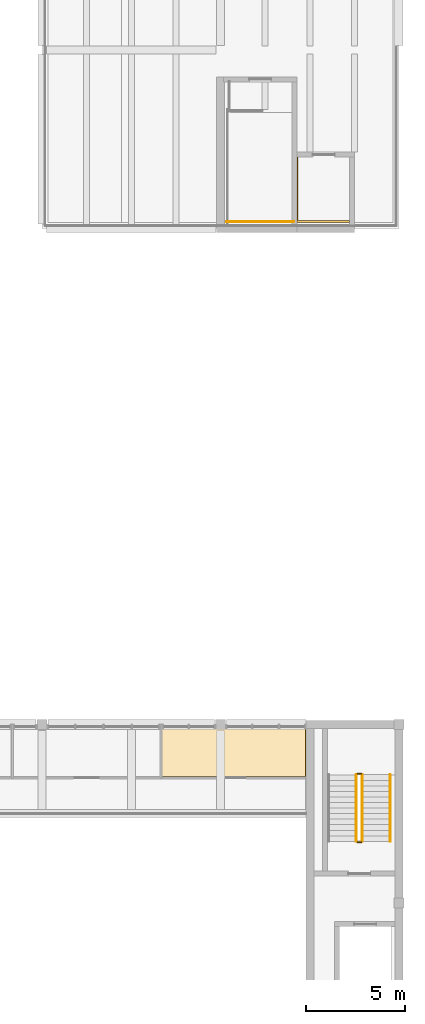
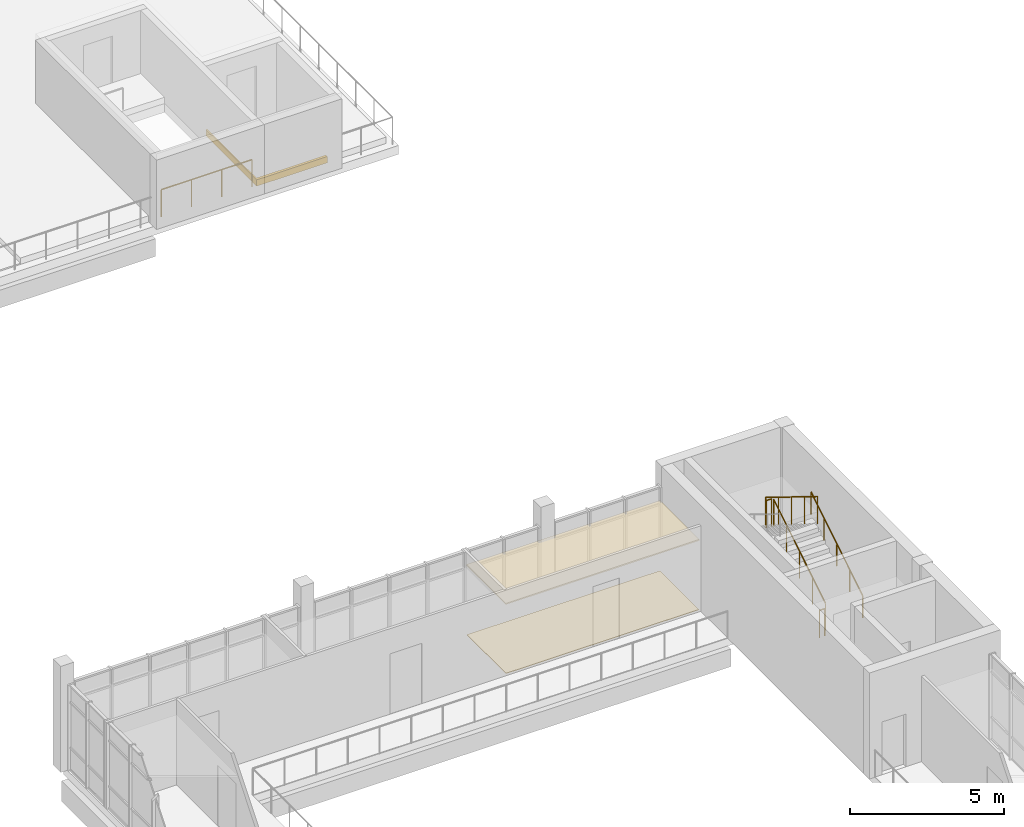
# One storey, part 62 of 74: 6 railings, 3 coverings.
"""IFC4 building model written with IfcOpenShell, lengths in metres."""

from ifc_helpers import new_model, si_unit, direction, frame, origin, origin_2d, place, context, subcontext, project, spatial, polyline, circle, outline, extrude, material, layer, layer_set, type_object, element, save


model = new_model("IFC4")

# Units and contexts
model_context = context("Model", 3, precision=1e-05, world=origin(), true_north=direction((0.0, 1.0)))
body_context = subcontext(model_context, "Body", "Model", "MODEL_VIEW")
ifc_project = project(units=[si_unit("LENGTHUNIT", "METRE"), si_unit("AREAUNIT", "SQUARE_METRE"), si_unit("VOLUMEUNIT", "CUBIC_METRE"), si_unit("PLANEANGLEUNIT", "RADIAN"), si_unit("MASSUNIT", "GRAM", prefix="KILO")], contexts=[model_context])

# Site, building, storey
site_placement = place(None, origin())
site = spatial("IfcSite", under=ifc_project, at=site_placement, CompositionType="ELEMENT")
building_placement = place(site_placement, origin())
building = spatial("IfcBuilding", under=site, at=building_placement, Name="Merrow Basin Faculty of Sciences", CompositionType="ELEMENT")
storey_placement = place(building_placement, frame((0.0, 0.0, 13.5)))
storey = spatial("IfcBuildingStorey", under=building, at=storey_placement, Name="L03", CompositionType="ELEMENT", Elevation=13.5)

# Coverings
ifc_material_1 = material(Name="Carpet tile floor")
ifc_layer_1 = layer(ifc_material_1, 0.02001953125)
ifc_layer_set_1 = layer_set([ifc_layer_1], Name="Carpet tile floor")
covering_type_1 = type_object("IfcCoveringType", Name="Carpet tile floor", PredefinedType="FLOORING", material=ifc_layer_set_1)
covering_1_placement = place(storey_placement, origin())
element("IfcCovering", 1, at=covering_1_placement, inside=storey, type_object=covering_type_1, Name="Floor finish L03-A-017", PredefinedType="FLOORING", context=body_context, shape_type="SweptSolid", body=[
    extrude(outline(polyline([(67.2900390625, 35.889892578125), (67.2900390625, 33.360107421875), (60.06005859375, 33.360107421875), (60.06005859375, 35.889892578125), (67.2900390625, 35.889892578125)])), origin(), (0.0, 0.0, 1.0), 0.02001953125),
])
ifc_material_2 = material(Name="Planting substrate")
ifc_layer_2 = layer(ifc_material_2, 0.25)
ifc_layer_set_2 = layer_set([ifc_layer_2], Name="Planted roof build-up 250")
covering_type_2 = type_object("IfcCoveringType", Name="Planted roof build-up 250", PredefinedType="ROOFING", material=ifc_layer_set_2)
covering_2_placement = place(storey_placement, origin())
element("IfcCovering", 2, at=covering_2_placement, inside=storey, type_object=covering_type_2, Name="Planted roof build-up", PredefinedType="ROOFING", context=body_context, shape_type="SweptSolid", body=[
    extrude(outline(polyline([(66.85009765625, 64.60009765625), (66.89990234375, 64.60009765625), (66.89990234375, 61.39990234375), (69.5, 61.39990234375), (69.5, 61.300048828125), (66.85009765625, 61.300048828125), (66.85009765625, 64.60009765625)])), origin(), (0.0, 0.0, 1.0), 0.25),
])

# Railings
ifc_material_3 = material(Name="Steel ASTM A36", Category="steel")
railing_type_1 = type_object("IfcRailingType", Name="Steel guard 1100", PredefinedType="GUARDRAIL", material=ifc_material_3)
railing_1_placement = place(storey_placement, frame((63.300048828125, 61.35009765625, 0.0)))
element("IfcRailing", 3, at=railing_1_placement, inside=storey, type_object=railing_type_1, Name="L03 ST-V2-S top well guard 3", PredefinedType="GUARDRAIL", context=body_context, shape_type="SweptSolid", body=[
    extrude(circle(Radius=0.02392578125, at=origin_2d()), frame((0.0, 0.0, 1.076171875), z_axis=(1.0, 0.0, 0.0), x_axis=(0.0, 1.0, 0.0)), (0.0, 0.0, 1.0), 3.39990234375),
    extrude(circle(Radius=0.02099609375, at=origin_2d()), origin(), (0.0, 0.0, 1.0), 1.052001953125),
    extrude(circle(Radius=0.02099609375, at=origin_2d()), frame((1.13330078125, 0.0, 0.0)), (0.0, 0.0, 1.0), 1.052001953125),
    extrude(circle(Radius=0.02099609375, at=origin_2d()), frame((2.2666015625, 0.0, 0.0)), (0.0, 0.0, 1.0), 1.052001953125),
    extrude(circle(Radius=0.02099609375, at=origin_2d()), frame((3.39990234375, 0.0, 0.0)), (0.0, 0.0, 1.0), 1.052001953125),
])
railing_2_placement = place(storey_placement, frame((70.14990234375, 30.10009765625, 0.173095703125)))
element("IfcRailing", 4, at=railing_2_placement, inside=storey, type_object=railing_type_1, Name="L03 ST-V3-E stair guard 1", PredefinedType="GUARDRAIL", context=body_context, shape_type="SweptSolid", body=[
    extrude(circle(Radius=0.02392578125, at=origin_2d()), frame((0.0, 0.0, 1.076171875), z_axis=(0.0, 0.850606129759, 0.525803396734), x_axis=(-1.0, 0.0, 0.0)), (0.0, 0.0, 1.0), 3.949951171875),
    extrude(circle(Radius=0.02099609375, at=origin_2d()), origin(), (0.0, 0.0, 1.0), 1.052001953125),
    extrude(circle(Radius=0.02099609375, at=origin_2d()), frame((0.0, 0.83984375, 0.519287109375)), (0.0, 0.0, 1.0), 1.052001953125),
    extrude(circle(Radius=0.02099609375, at=origin_2d()), frame((0.0, 1.679931640625, 1.03857421875)), (0.0, 0.0, 1.0), 1.052001953125),
    extrude(circle(Radius=0.02099609375, at=origin_2d()), frame((0.0, 2.52001953125, 1.5576171875)), (0.0, 0.0, 1.0), 1.052001953125),
    extrude(circle(Radius=0.02099609375, at=origin_2d()), frame((0.0, 3.35986328125, 2.076904296875)), (0.0, 0.0, 1.0), 1.052001953125),
])
railing_3_placement = place(storey_placement, frame((70.10009765625, 33.510009765625, 2.25)))
element("IfcRailing", 5, at=railing_3_placement, inside=storey, type_object=railing_type_1, Name="L03 ST-V3-E stair guard 2", PredefinedType="GUARDRAIL", context=body_context, shape_type="SweptSolid", body=[
    extrude(circle(Radius=0.02392578125, at=origin_2d()), frame((0.0, 0.0, 1.076171875), z_axis=(-1.0, 0.0, 0.0), x_axis=(0.0, -1.0, 0.0)), (0.0, 0.0, 1.0), 0.2001953125),
    extrude(circle(Radius=0.02099609375, at=origin_2d()), origin(), (0.0, 0.0, 1.0), 1.052001953125),
    extrude(circle(Radius=0.02099609375, at=origin_2d()), frame((-0.2001953125, 0.0, 0.0)), (0.0, 0.0, 1.0), 1.052001953125),
])
railing_4_placement = place(storey_placement, frame((69.85009765625, 33.4599609375, 2.423095703125)))
element("IfcRailing", 6, at=railing_4_placement, inside=storey, type_object=railing_type_1, Name="L03 ST-V3-E stair guard 3", PredefinedType="GUARDRAIL", context=body_context, shape_type="SweptSolid", body=[
    extrude(circle(Radius=0.02392578125, at=origin_2d()), frame((0.0, 0.0, 1.076171875), z_axis=(0.0, -0.850606129759, 0.525803396734), x_axis=(1.0, 0.0, 0.0)), (0.0, 0.0, 1.0), 3.949951171875),
    extrude(circle(Radius=0.02099609375, at=origin_2d()), origin(), (0.0, 0.0, 1.0), 1.052001953125),
    extrude(circle(Radius=0.02099609375, at=origin_2d()), frame((0.0, -0.83984375, 0.519287109375)), (0.0, 0.0, 1.0), 1.052001953125),
    extrude(circle(Radius=0.02099609375, at=origin_2d()), frame((0.0, -1.679931640625, 1.03857421875)), (0.0, 0.0, 1.0), 1.052001953125),
    extrude(circle(Radius=0.02099609375, at=origin_2d()), frame((0.0, -2.52001953125, 1.5576171875)), (0.0, 0.0, 1.0), 1.052001953125),
    extrude(circle(Radius=0.02099609375, at=origin_2d()), frame((0.0, -3.35986328125, 2.076904296875)), (0.0, 0.0, 1.0), 1.052001953125),
])
railing_5_placement = place(storey_placement, frame((70.10009765625, 30.050048828125, 0.0)))
element("IfcRailing", 7, at=railing_5_placement, inside=storey, type_object=railing_type_1, Name="L03 ST-V3-E stair guard 4", PredefinedType="GUARDRAIL", context=body_context, shape_type="SweptSolid", body=[
    extrude(circle(Radius=0.02392578125, at=origin_2d()), frame((0.0, 0.0, 1.076171875), z_axis=(-1.0, 0.0, 0.0), x_axis=(0.0, -1.0, 0.0)), (0.0, 0.0, 1.0), 0.2001953125),
    extrude(circle(Radius=0.02099609375, at=origin_2d()), origin(), (0.0, 0.0, 1.0), 1.052001953125),
    extrude(circle(Radius=0.02099609375, at=origin_2d()), frame((-0.2001953125, 0.0, 0.0)), (0.0, 0.0, 1.0), 1.052001953125),
])
ifc_material_4 = material(Name="Steel ASTM A36", Category="steel")
railing_type_2 = type_object("IfcRailingType", Name="Steel handrail 900", PredefinedType="HANDRAIL", material=ifc_material_4)
railing_6_placement = place(storey_placement, frame((71.550048828125, 30.10009765625, 0.173095703125)))
element("IfcRailing", 8, at=railing_6_placement, inside=storey, type_object=railing_type_2, Name="L03 ST-V3-E stair handrail 1", PredefinedType="HANDRAIL", context=body_context, shape_type="SweptSolid", body=[
    extrude(circle(Radius=0.02392578125, at=origin_2d()), frame((0.0, 0.0, 0.8759765625), z_axis=(0.0, 0.850606129759, 0.525803396734), x_axis=(-1.0, 0.0, 0.0)), (0.0, 0.0, 1.0), 3.949951171875),
    extrude(circle(Radius=0.02099609375, at=origin_2d()), origin(), (0.0, 0.0, 1.0), 0.851806640625),
    extrude(circle(Radius=0.02099609375, at=origin_2d()), frame((0.0, 0.83984375, 0.519287109375)), (0.0, 0.0, 1.0), 0.851806640625),
    extrude(circle(Radius=0.02099609375, at=origin_2d()), frame((0.0, 1.679931640625, 1.03857421875)), (0.0, 0.0, 1.0), 0.851806640625),
    extrude(circle(Radius=0.02099609375, at=origin_2d()), frame((0.0, 2.52001953125, 1.5576171875)), (0.0, 0.0, 1.0), 0.851806640625),
    extrude(circle(Radius=0.02099609375, at=origin_2d()), frame((0.0, 3.35986328125, 2.076904296875)), (0.0, 0.0, 1.0), 0.851806640625),
])

# Covering
ifc_material_5 = material(Name="Mineral fibre ceiling tile")
ifc_layer_3 = layer(ifc_material_5, 0.050048828125)
ifc_layer_set_3 = layer_set([ifc_layer_3], Name="Suspended acoustic ceiling tile")
covering_type_3 = type_object("IfcCoveringType", Name="Suspended acoustic ceiling tile", PredefinedType="CEILING", material=ifc_layer_set_3)
covering_3_placement = place(storey_placement, frame((0.0, 0.0, 2.75)))
element("IfcCovering", 9, at=covering_3_placement, inside=storey, type_object=covering_type_3, Name="Ceiling L03-A-017", PredefinedType="CEILING", context=body_context, shape_type="SweptSolid", body=[
    extrude(outline(polyline([(67.300048828125, 35.89990234375), (67.300048828125, 33.35009765625), (60.050048828125, 33.35009765625), (60.050048828125, 35.89990234375), (67.300048828125, 35.89990234375)])), origin(), (0.0, 0.0, 1.0), 0.050048828125),
])

save(model, "model.ifc")
